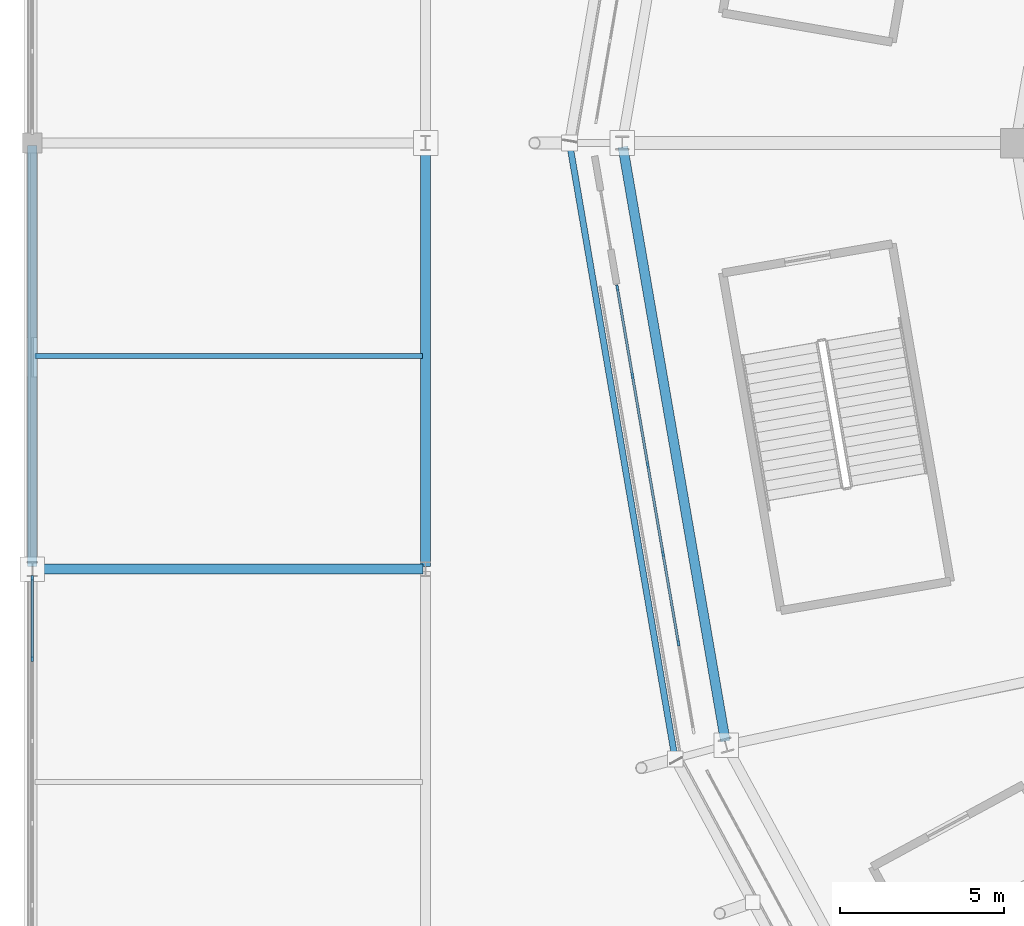
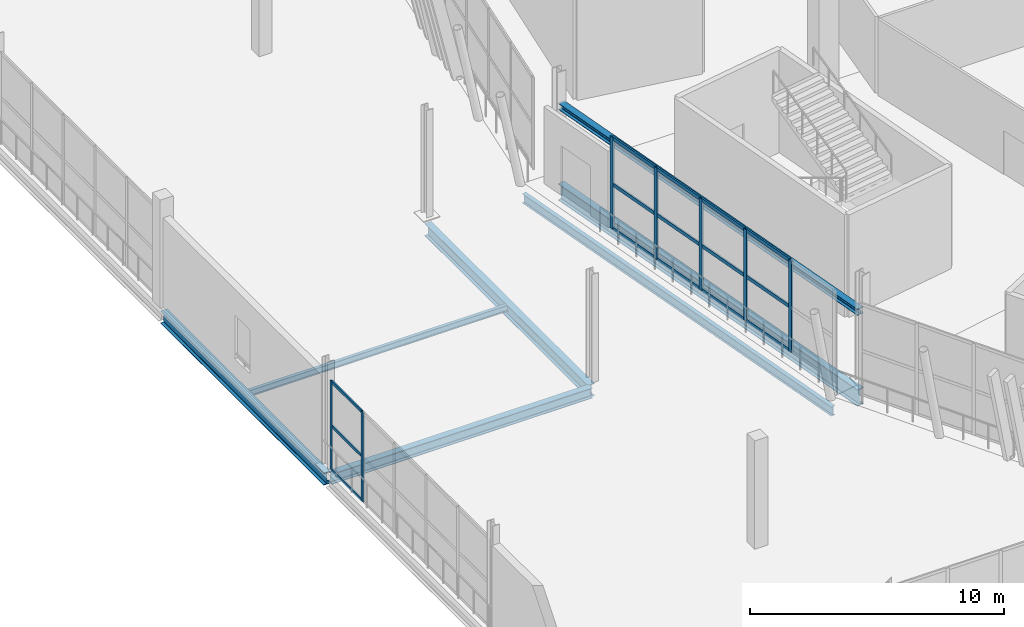
# One storey, part 39 of 178: 22 members, 7 beams, 2 elements without a shape of their own.
"""IFC4 building model written with IfcOpenShell, lengths in metres."""

import ifcopenshell
import ifcopenshell.guid

model = None  # the IFC model being written
_history = None  # IfcOwnerHistory: only IFC2X3 demands one
_inside = {}  # id of a spatial element -> (the spatial element, [elements in it])
_under = {}  # id of a project, library or spatial element -> (it, [spatial elements below it])
_declared = {}  # id of a project -> (the project, [libraries it declares])
_typed = {}  # id of a type object -> (the type object, [elements of that type])
_made_of = {}  # id of a material, layer set ... -> (it, [elements and type objects made of it])


def new_model(schema):
    """Start an empty IFC model of exactly this schema.

    Asked for "IFC4X3", IfcOpenShell would pick the latest addendum, in which some entities
    have other attributes; the version numbers below select the first issue.
    IFC2X3 requires an IfcOwnerHistory on every rooted entity: one is made here for all.
    """
    global model, _history
    if schema == "IFC4X3":
        model = ifcopenshell.file(schema_version=(4, 3, 0, 0))
    else:
        model = ifcopenshell.file(schema=schema)
    _inside.clear()
    _under.clear()
    _declared.clear()
    _typed.clear()
    _made_of.clear()
    _history = None
    if model.schema == "IFC2X3":
        org = make("IfcOrganization", Name="unknown")
        user = make(
            "IfcPersonAndOrganization",
            ThePerson=make("IfcPerson", FamilyName="unknown"),
            TheOrganization=org,
        )
        app = make(
            "IfcApplication",
            ApplicationDeveloper=org,
            Version="unknown",
            ApplicationFullName="unknown",
            ApplicationIdentifier="unknown",
        )
        _history = make(
            "IfcOwnerHistory",
            OwningUser=user,
            OwningApplication=app,
            ChangeAction="ADDED",
            CreationDate=0,
        )
    return model


def make(cls, **values):
    """One entity of the class cls with the attributes given. An attribute that is None is left unset."""
    return model.create_entity(
        cls, **{name: value for name, value in values.items() if value is not None}
    )


def rooted(cls, **values):
    """An entity with a GlobalId (a new one), such as an element, a storey or a relation."""
    return make(cls, GlobalId=ifcopenshell.guid.new(), OwnerHistory=_history, **values)


def si_unit(unit_type, name, prefix=None):
    """IfcSIUnit, for example si_unit("LENGTHUNIT", "METRE", prefix="MILLI")."""
    return make("IfcSIUnit", UnitType=unit_type, Prefix=prefix, Name=name)


def assignment(units):
    """IfcUnitAssignment: the units of a project."""
    return None if units is None else make("IfcUnitAssignment", Units=units)


def point(xyz):
    """IfcCartesianPoint."""
    return None if xyz is None else make("IfcCartesianPoint", Coordinates=xyz)


def direction(xyz):
    """IfcDirection."""
    return None if xyz is None else make("IfcDirection", DirectionRatios=xyz)


def frame(location, z_axis=None, x_axis=None):
    """IfcAxis2Placement3D, a coordinate frame: its origin and axes. An axis left out is left unset."""
    return make(
        "IfcAxis2Placement3D",
        Location=point(location),
        Axis=direction(z_axis),
        RefDirection=direction(x_axis),
    )


def frame_2d(location, x_axis=None):
    """IfcAxis2Placement2D, a coordinate frame in the plane: its origin and x axis."""
    return make(
        "IfcAxis2Placement2D", Location=point(location), RefDirection=direction(x_axis)
    )


def origin():
    """The frame at (0, 0, 0) with its axes left unset."""
    return frame((0.0, 0.0, 0.0))


def origin_2d():
    """The frame at (0, 0) in the plane with its x axis left unset."""
    return frame_2d((0.0, 0.0))


def place(relative_to, where):
    """IfcLocalPlacement: puts the frame where relative to a parent placement (None: the world)."""
    return make(
        "IfcLocalPlacement", PlacementRelTo=relative_to, RelativePlacement=where
    )


def context(
    kind, dimensions, precision=None, world=None, true_north=None, identifier=None
):
    """IfcGeometricRepresentationContext, for example the 3D "Model" context."""
    return make(
        "IfcGeometricRepresentationContext",
        ContextIdentifier=identifier,
        ContextType=kind,
        CoordinateSpaceDimension=dimensions,
        Precision=precision,
        WorldCoordinateSystem=world,
        TrueNorth=true_north,
    )


def subcontext(parent, identifier, kind, view, scale=None):
    """IfcGeometricRepresentationSubContext, for example "Body" below "Model"."""
    return make(
        "IfcGeometricRepresentationSubContext",
        ContextIdentifier=identifier,
        ContextType=kind,
        ParentContext=parent,
        TargetScale=scale,
        TargetView=view,
    )


def project(units=None, contexts=None):
    """IfcProject with its units and contexts."""
    return rooted(
        "IfcProject",
        Name="project",
        RepresentationContexts=contexts,
        UnitsInContext=assignment(units),
    )


def spatial(cls, under=None, at=None, **own):
    """A site, building, storey or space (cls), placed at a placement, below another one or the project."""
    s = rooted(cls, ObjectPlacement=at, **own)
    if under is not None:
        _under.setdefault(under.id(), (under, []))[1].append(s)
    return s


def profile(cls, at=None, kind="AREA", **sizes):
    """A parametric profile (cls). Its sizes go by their IFC names, for example OverallWidth=200.0."""
    return make(cls, ProfileType=kind, Position=at, **sizes)


def rectangle(**sizes):
    """IfcRectangleProfileDef."""
    return profile("IfcRectangleProfileDef", **sizes)


def i_section(**sizes):
    """IfcIShapeProfileDef."""
    return profile("IfcIShapeProfileDef", **sizes)


def extrude(swept, where, along, depth):
    """IfcExtrudedAreaSolid: the profile swept, set in the frame where, extruded along a direction by depth."""
    return make(
        "IfcExtrudedAreaSolid",
        SweptArea=swept,
        Position=where,
        ExtrudedDirection=direction(along),
        Depth=depth,
    )


def shape(context_of_items, identifier, shape_type, items):
    """IfcShapeRepresentation: the items that make up one representation, for example the "Body"."""
    return make(
        "IfcShapeRepresentation",
        ContextOfItems=context_of_items,
        RepresentationIdentifier=identifier,
        RepresentationType=shape_type,
        Items=items,
    )


def material(Name=None, Category=None):
    """IfcMaterial."""
    return make("IfcMaterial", Name=Name, Category=Category)


def material_profile(
    of_material, cross_section, Name=None, Category=None, Priority=None
):
    """IfcMaterialProfile: a cross section and its material."""
    return make(
        "IfcMaterialProfile",
        Name=Name,
        Material=of_material,
        Profile=cross_section,
        Priority=Priority,
        Category=Category,
    )


def profile_set(profiles, Name=None, composite=None):
    """IfcMaterialProfileSet."""
    return make(
        "IfcMaterialProfileSet",
        Name=Name,
        MaterialProfiles=profiles,
        CompositeProfile=composite,
    )


def made_of(thing, what):
    """Note that an element or type object is made of a material, layer set ...; save() writes the relation."""
    if what is not None:
        _made_of.setdefault(what.id(), (what, []))[1].append(thing)
    return thing


def type_object(cls, material=None, **own):
    """A type object (cls), such as IfcWallType, which elements share."""
    return made_of(rooted(cls, **own), material)


def element(
    cls,
    number,
    at=None,
    inside=None,
    cuts=None,
    type_object=None,
    material=None,
    context=None,
    identifier="Body",
    shape_type=None,
    held_by="IfcProductDefinitionShape",
    body=None,
    shapes=None,
    **own,
):
    """One element of the class cls, such as IfcWall. Its Tag is "e" and its number.

    at: its placement. inside: the storey or other place that contains it. cuts: it is an
    opening in that element (IfcRelVoidsElement). A single representation is given by context,
    identifier, shape_type and body (its items); several are given by shapes. held_by: the class
    of the entity that holds the representations. save() writes the other relations.
    """
    e = rooted(cls, Tag="e%d" % number, ObjectPlacement=at, **own)
    if body is not None:
        shapes = [shape(context, identifier, shape_type, body)]
    if shapes is not None:
        e.Representation = make(held_by, Representations=shapes)
    if inside is not None:
        _inside.setdefault(inside.id(), (inside, []))[1].append(e)
    if cuts is not None:
        rooted(
            "IfcRelVoidsElement", RelatingBuildingElement=cuts, RelatedOpeningElement=e
        )
    if type_object is not None:
        _typed.setdefault(type_object.id(), (type_object, []))[1].append(e)
    return made_of(e, material)


def aggregate(whole, parts):
    """IfcRelAggregates: a whole, such as a stair, and the parts it consists of."""
    return rooted("IfcRelAggregates", RelatingObject=whole, RelatedObjects=parts)


def save(model, path):
    """Write the relations noted so far, then the file.

    IfcRelAggregates (storeys below a building ...), IfcRelContainedInSpatialStructure (elements
    in a storey), IfcRelDefinesByType, IfcRelAssociatesMaterial and IfcRelDeclares: one each for
    every whole, place, type object, material and project.
    """
    for whole, parts in _under.values():
        aggregate(whole, parts)
    for where, things in _inside.values():
        rooted(
            "IfcRelContainedInSpatialStructure",
            RelatedElements=things,
            RelatingStructure=where,
        )
    for kind, things in _typed.values():
        rooted("IfcRelDefinesByType", RelatedObjects=things, RelatingType=kind)
    for what, things in _made_of.values():
        rooted("IfcRelAssociatesMaterial", RelatedObjects=things, RelatingMaterial=what)
    for by, libraries in _declared.values():
        rooted("IfcRelDeclares", RelatingContext=by, RelatedDefinitions=libraries)
    model.write(path)


model = new_model("IFC4")

# Units and contexts
model_context = context("Model", 3, precision=1e-05, world=origin(), true_north=direction((0.0, 1.0)))
body_context = subcontext(model_context, "Body", "Model", "MODEL_VIEW")
ifc_project = project(units=[si_unit("LENGTHUNIT", "METRE"), si_unit("AREAUNIT", "SQUARE_METRE"), si_unit("VOLUMEUNIT", "CUBIC_METRE"), si_unit("PLANEANGLEUNIT", "RADIAN"), si_unit("MASSUNIT", "GRAM", prefix="KILO")], contexts=[model_context])

# Site, building, storey
site_placement = place(None, origin())
site = spatial("IfcSite", under=ifc_project, at=site_placement, CompositionType="ELEMENT")
building_placement = place(site_placement, origin())
building = spatial("IfcBuilding", under=site, at=building_placement, Name="Zlatoyarsky Gate Stadium", CompositionType="ELEMENT")
storey_placement = place(building_placement, frame((0.0, 0.0, 5.39990234375)))
storey = spatial("IfcBuildingStorey", under=building, at=storey_placement, Name="L01", CompositionType="ELEMENT", Elevation=5.39990234375)

# Curtain wall, members
ifc_material_1 = material(Name="Thermally broken anodised aluminium curtain wall", Category="aluminium")
curtain_wall_type_1 = type_object("IfcCurtainWallType", Name="MONUMENTAL ARCHED GATE GLAZING LOWER", PredefinedType="USERDEFINED", material=ifc_material_1)
curtain_wall_1_placement = place(storey_placement, origin())
curtain_wall_1 = element("IfcCurtainWall", 1, at=curtain_wall_1_placement, inside=storey, type_object=curtain_wall_type_1, Name="Curtain wall CW-L01-12", ObjectType="ARCHED GATE GLAZING", PredefinedType="USERDEFINED")
ifc_material_2 = material(Name="Anodised aluminium 6063-T6", Category="aluminium")
ifc_material_profile_1 = material_profile(ifc_material_2, rectangle(XDim=0.074951171875, YDim=0.18994140625, at=origin_2d()), Name="ALU 75X190")
ifc_profile_set_1 = profile_set([ifc_material_profile_1], Name="Anodised aluminium 6063-T6")
member_type_1 = type_object("IfcMemberType", Name="ALUMINIUM GATE MULLION 75X190", PredefinedType="MULLION", material=ifc_profile_set_1)
member_1_placement = place(storey_placement, frame((17.851806640625, 75.577392578125, 0.0), z_axis=(0.0, 0.0, 1.0), x_axis=(0.985538462082, 0.169451880356, 0.0)))
member_1 = element("IfcMember", 2, at=member_1_placement, type_object=member_type_1, Name="CW-AG1 mullion 1", PredefinedType="MULLION", context=body_context, shape_type="SweptSolid", body=[
    extrude(rectangle(XDim=0.074951171875, YDim=0.18994140625, at=origin_2d()), origin(), (0.0, 0.0, 1.0), 4.400146484375),
])
member_2_placement = place(storey_placement, frame((18.312744140625, 72.8974609375, 0.0), z_axis=(0.0, 0.0, 1.0), x_axis=(0.985538462082, 0.169451880356, 0.0)))
member_2 = element("IfcMember", 3, at=member_2_placement, type_object=member_type_1, Name="CW-AG1 mullion 2", PredefinedType="MULLION", context=body_context, shape_type="SweptSolid", body=[
    extrude(rectangle(XDim=0.074951171875, YDim=0.18994140625, at=origin_2d()), origin(), (0.0, 0.0, 1.0), 4.400146484375),
])
member_3_placement = place(storey_placement, frame((18.77978515625, 70.180419921875, 0.0), z_axis=(0.0, 0.0, 1.0), x_axis=(0.985538462082, 0.169451880356, 0.0)))
member_3 = element("IfcMember", 4, at=member_3_placement, type_object=member_type_1, Name="CW-AG1 mullion 3", PredefinedType="MULLION", context=body_context, shape_type="SweptSolid", body=[
    extrude(rectangle(XDim=0.074951171875, YDim=0.18994140625, at=origin_2d()), origin(), (0.0, 0.0, 1.0), 4.400146484375),
])
member_4_placement = place(storey_placement, frame((19.2470703125, 67.46337890625, 0.0), z_axis=(0.0, 0.0, 1.0), x_axis=(0.985538462082, 0.169451880356, 0.0)))
member_4 = element("IfcMember", 5, at=member_4_placement, type_object=member_type_1, Name="CW-AG1 mullion 4", PredefinedType="MULLION", context=body_context, shape_type="SweptSolid", body=[
    extrude(rectangle(XDim=0.074951171875, YDim=0.18994140625, at=origin_2d()), origin(), (0.0, 0.0, 1.0), 4.400146484375),
])
member_5_placement = place(storey_placement, frame((19.714111328125, 64.746337890625, 0.0), z_axis=(0.0, 0.0, 1.0), x_axis=(0.985538462082, 0.169451880356, 0.0)))
member_5 = element("IfcMember", 6, at=member_5_placement, type_object=member_type_1, Name="CW-AG1 mullion 5", PredefinedType="MULLION", context=body_context, shape_type="SweptSolid", body=[
    extrude(rectangle(XDim=0.074951171875, YDim=0.18994140625, at=origin_2d()), origin(), (0.0, 0.0, 1.0), 4.400146484375),
])
ifc_material_profile_2 = material_profile(ifc_material_2, rectangle(XDim=0.074951171875, YDim=0.169921875, at=origin_2d()), Name="ALU 75X170")
ifc_profile_set_2 = profile_set([ifc_material_profile_2], Name="Anodised aluminium 6063-T6")
member_type_2 = type_object("IfcMemberType", Name="ALUMINIUM GATE TRANSOM 75X170", PredefinedType="USERDEFINED", material=ifc_profile_set_2)
member_6_placement = place(storey_placement, frame((17.858154296875, 75.54052734375, 0.03759765625), z_axis=(0.169501903761, -0.985529859832, 0.0), x_axis=(0.985529859832, 0.169501903761, 0.0)))
member_6 = element("IfcMember", 7, at=member_6_placement, type_object=member_type_2, Name="CW-AG1 transom 1.1", ObjectType="TRANSOM", PredefinedType="USERDEFINED", context=body_context, shape_type="SweptSolid", body=[
    extrude(rectangle(XDim=0.074951171875, YDim=0.169921875, at=origin_2d()), origin(), (0.0, 0.0, 1.0), 2.64453125),
])
member_7_placement = place(storey_placement, frame((17.858154296875, 75.54052734375, 2.150146484375), z_axis=(0.169501903761, -0.985529859832, 0.0), x_axis=(0.985529859832, 0.169501903761, 0.0)))
member_7 = element("IfcMember", 8, at=member_7_placement, type_object=member_type_2, Name="CW-AG1 transom 1.2", ObjectType="TRANSOM", PredefinedType="USERDEFINED", context=body_context, shape_type="SweptSolid", body=[
    extrude(rectangle(XDim=0.074951171875, YDim=0.169921875, at=origin_2d()), origin(), (0.0, 0.0, 1.0), 2.64453125),
])
member_8_placement = place(storey_placement, frame((17.858154296875, 75.54052734375, 4.362548828125), z_axis=(0.169501903761, -0.985529859832, 0.0), x_axis=(0.985529859832, 0.169501903761, 0.0)))
member_8 = element("IfcMember", 9, at=member_8_placement, type_object=member_type_2, Name="CW-AG1 transom 1.3", ObjectType="TRANSOM", PredefinedType="USERDEFINED", context=body_context, shape_type="SweptSolid", body=[
    extrude(rectangle(XDim=0.074951171875, YDim=0.169921875, at=origin_2d()), origin(), (0.0, 0.0, 1.0), 2.64453125),
])
member_9_placement = place(storey_placement, frame((18.319091796875, 72.8603515625, 0.03759765625), z_axis=(0.169416084478, -0.985544616098, 0.0), x_axis=(0.985544616098, 0.169416084478, 0.0)))
member_9 = element("IfcMember", 10, at=member_9_placement, type_object=member_type_2, Name="CW-AG1 transom 2.1", ObjectType="TRANSOM", PredefinedType="USERDEFINED", context=body_context, shape_type="SweptSolid", body=[
    extrude(rectangle(XDim=0.074951171875, YDim=0.169921875, at=origin_2d()), origin(), (0.0, 0.0, 1.0), 2.681884765625),
])
member_10_placement = place(storey_placement, frame((18.319091796875, 72.8603515625, 2.150146484375), z_axis=(0.169416084478, -0.985544616098, 0.0), x_axis=(0.985544616098, 0.169416084478, 0.0)))
member_10 = element("IfcMember", 11, at=member_10_placement, type_object=member_type_2, Name="CW-AG1 transom 2.2", ObjectType="TRANSOM", PredefinedType="USERDEFINED", context=body_context, shape_type="SweptSolid", body=[
    extrude(rectangle(XDim=0.074951171875, YDim=0.169921875, at=origin_2d()), origin(), (0.0, 0.0, 1.0), 2.681884765625),
])
member_11_placement = place(storey_placement, frame((18.319091796875, 72.8603515625, 4.362548828125), z_axis=(0.169416084478, -0.985544616098, 0.0), x_axis=(0.985544616098, 0.169416084478, 0.0)))
member_11 = element("IfcMember", 12, at=member_11_placement, type_object=member_type_2, Name="CW-AG1 transom 2.3", ObjectType="TRANSOM", PredefinedType="USERDEFINED", context=body_context, shape_type="SweptSolid", body=[
    extrude(rectangle(XDim=0.074951171875, YDim=0.169921875, at=origin_2d()), origin(), (0.0, 0.0, 1.0), 2.681884765625),
])
member_12_placement = place(storey_placement, frame((18.7861328125, 70.143310546875, 0.03759765625), z_axis=(0.169504504536, -0.98552941252, 0.0), x_axis=(0.98552941252, 0.169504504536, 0.0)))
member_12 = element("IfcMember", 13, at=member_12_placement, type_object=member_type_2, Name="CW-AG1 transom 3.1", ObjectType="TRANSOM", PredefinedType="USERDEFINED", context=body_context, shape_type="SweptSolid", body=[
    extrude(rectangle(XDim=0.074951171875, YDim=0.169921875, at=origin_2d()), origin(), (0.0, 0.0, 1.0), 2.681884765625),
])
member_13_placement = place(storey_placement, frame((18.7861328125, 70.143310546875, 2.150146484375), z_axis=(0.169504504536, -0.98552941252, 0.0), x_axis=(0.98552941252, 0.169504504536, 0.0)))
member_13 = element("IfcMember", 14, at=member_13_placement, type_object=member_type_2, Name="CW-AG1 transom 3.2", ObjectType="TRANSOM", PredefinedType="USERDEFINED", context=body_context, shape_type="SweptSolid", body=[
    extrude(rectangle(XDim=0.074951171875, YDim=0.169921875, at=origin_2d()), origin(), (0.0, 0.0, 1.0), 2.681884765625),
])
member_14_placement = place(storey_placement, frame((18.7861328125, 70.143310546875, 4.362548828125), z_axis=(0.169504504536, -0.98552941252, 0.0), x_axis=(0.98552941252, 0.169504504536, 0.0)))
member_14 = element("IfcMember", 15, at=member_14_placement, type_object=member_type_2, Name="CW-AG1 transom 3.3", ObjectType="TRANSOM", PredefinedType="USERDEFINED", context=body_context, shape_type="SweptSolid", body=[
    extrude(rectangle(XDim=0.074951171875, YDim=0.169921875, at=origin_2d()), origin(), (0.0, 0.0, 1.0), 2.681884765625),
])
member_15_placement = place(storey_placement, frame((19.25341796875, 67.42626953125, 0.03759765625), z_axis=(0.169416084478, -0.985544616098, 0.0), x_axis=(0.985544616098, 0.169416084478, 0.0)))
member_15 = element("IfcMember", 16, at=member_15_placement, type_object=member_type_2, Name="CW-AG1 transom 4.1", ObjectType="TRANSOM", PredefinedType="USERDEFINED", context=body_context, shape_type="SweptSolid", body=[
    extrude(rectangle(XDim=0.074951171875, YDim=0.169921875, at=origin_2d()), origin(), (0.0, 0.0, 1.0), 2.681884765625),
])
member_16_placement = place(storey_placement, frame((19.25341796875, 67.42626953125, 2.150146484375), z_axis=(0.169416084478, -0.985544616098, 0.0), x_axis=(0.985544616098, 0.169416084478, 0.0)))
member_16 = element("IfcMember", 17, at=member_16_placement, type_object=member_type_2, Name="CW-AG1 transom 4.2", ObjectType="TRANSOM", PredefinedType="USERDEFINED", context=body_context, shape_type="SweptSolid", body=[
    extrude(rectangle(XDim=0.074951171875, YDim=0.169921875, at=origin_2d()), origin(), (0.0, 0.0, 1.0), 2.681884765625),
])
member_17_placement = place(storey_placement, frame((19.25341796875, 67.42626953125, 4.362548828125), z_axis=(0.169416084478, -0.985544616098, 0.0), x_axis=(0.985544616098, 0.169416084478, 0.0)))
member_17 = element("IfcMember", 18, at=member_17_placement, type_object=member_type_2, Name="CW-AG1 transom 4.3", ObjectType="TRANSOM", PredefinedType="USERDEFINED", context=body_context, shape_type="SweptSolid", body=[
    extrude(rectangle(XDim=0.074951171875, YDim=0.169921875, at=origin_2d()), origin(), (0.0, 0.0, 1.0), 2.681884765625),
])
aggregate(curtain_wall_1, [member_1, member_2, member_3, member_4, member_5, member_6, member_7, member_8, member_9, member_10, member_11, member_12, member_13, member_14, member_15, member_16, member_17])

curtain_wall_type_2 = type_object("IfcCurtainWallType", Name="WINTER GARDEN CONSERVATORY GLAZING", PredefinedType="USERDEFINED", material=ifc_material_1)
curtain_wall_2_placement = place(storey_placement, origin())
curtain_wall_2 = element("IfcCurtainWall", 19, at=curtain_wall_2_placement, inside=storey, type_object=curtain_wall_type_2, Name="Curtain wall CW-V4_WEST-L01-165", ObjectType="UNITISED GLAZING", PredefinedType="USERDEFINED")
ifc_material_profile_3 = material_profile(ifc_material_2, rectangle(XDim=0.06494140625, YDim=0.159912109375, at=origin_2d()), Name="ALU 65X160")
ifc_profile_set_3 = profile_set([ifc_material_profile_3], Name="Anodised aluminium 6063-T6")
member_type_3 = type_object("IfcMemberType", Name="ALUMINIUM MULLION 65X160", PredefinedType="MULLION", material=ifc_profile_set_3)
member_18_placement = place(storey_placement, frame((0.0, 64.2578125, 0.0), z_axis=(0.0, 0.0, 1.0), x_axis=(-1.0, 0.0, 0.0)))
member_18 = element("IfcMember", 20, at=member_18_placement, type_object=member_type_3, Name="CW-WG1 mullion 5", PredefinedType="MULLION", context=body_context, shape_type="SweptSolid", body=[
    extrude(rectangle(XDim=0.06494140625, YDim=0.159912109375, at=origin_2d()), origin(), (0.0, 0.0, 1.0), 4.300048828125),
])
member_19_placement = place(storey_placement, frame((0.0, 66.73046875, 0.0), z_axis=(0.0, 0.0, 1.0), x_axis=(-1.0, 0.0, 0.0)))
member_19 = element("IfcMember", 21, at=member_19_placement, type_object=member_type_3, Name="CW-WG1 mullion 6", PredefinedType="MULLION", context=body_context, shape_type="SweptSolid", body=[
    extrude(rectangle(XDim=0.06494140625, YDim=0.159912109375, at=origin_2d()), origin(), (0.0, 0.0, 1.0), 4.300048828125),
])
ifc_material_profile_4 = material_profile(ifc_material_2, rectangle(XDim=0.06494140625, YDim=0.139892578125, at=origin_2d()), Name="ALU 65X140")
ifc_profile_set_4 = profile_set([ifc_material_profile_4], Name="Anodised aluminium 6063-T6")
member_type_4 = type_object("IfcMemberType", Name="ALUMINIUM TRANSOM 65X140", PredefinedType="USERDEFINED", material=ifc_profile_set_4)
member_20_placement = place(storey_placement, frame((0.0, 64.290283203125, 0.03271484375), z_axis=(0.0, 1.0, 0.0), x_axis=(-1.0, 0.0, 0.0)))
member_20 = element("IfcMember", 22, at=member_20_placement, type_object=member_type_4, Name="CW-WG1 transom 5.1", ObjectType="TRANSOM", PredefinedType="USERDEFINED", context=body_context, shape_type="SweptSolid", body=[
    extrude(rectangle(XDim=0.06494140625, YDim=0.139892578125, at=origin_2d()), origin(), (0.0, 0.0, 1.0), 2.40771484375),
])
member_21_placement = place(storey_placement, frame((0.0, 64.290283203125, 2.150146484375), z_axis=(0.0, 1.0, 0.0), x_axis=(-1.0, 0.0, 0.0)))
member_21 = element("IfcMember", 23, at=member_21_placement, type_object=member_type_4, Name="CW-WG1 transom 5.2", ObjectType="TRANSOM", PredefinedType="USERDEFINED", context=body_context, shape_type="SweptSolid", body=[
    extrude(rectangle(XDim=0.06494140625, YDim=0.139892578125, at=origin_2d()), origin(), (0.0, 0.0, 1.0), 2.40771484375),
])
member_22_placement = place(storey_placement, frame((0.0, 64.290283203125, 4.267578125), z_axis=(0.0, 1.0, 0.0), x_axis=(-1.0, 0.0, 0.0)))
member_22 = element("IfcMember", 24, at=member_22_placement, type_object=member_type_4, Name="CW-WG1 transom 5.3", ObjectType="TRANSOM", PredefinedType="USERDEFINED", context=body_context, shape_type="SweptSolid", body=[
    extrude(rectangle(XDim=0.06494140625, YDim=0.139892578125, at=origin_2d()), origin(), (0.0, 0.0, 1.0), 2.40771484375),
])
aggregate(curtain_wall_2, [member_18, member_19, member_20, member_21, member_22])

# Beams
ifc_material_3 = material(Name="Steel S355", Category="steel")
ifc_material_profile_5 = material_profile(ifc_material_3, i_section(OverallWidth=0.18994140625, OverallDepth=0.449951171875, WebThickness=0.009521484375, FlangeThickness=0.0146484375, FilletRadius=0.02099609375, at=origin_2d()), Name="IPE 450")
ifc_profile_set_5 = profile_set([ifc_material_profile_5], Name="Steel S355")
beam_type_1 = type_object("IfcBeamType", Name="STEEL EDGE SPANDREL IPE 450", PredefinedType="SPANDREL", material=ifc_profile_set_5)
beam_1_placement = place(storey_placement, frame((16.39501953125, 79.980224609375, -0.684814453125), z_axis=(0.169066383905, -0.985604666098, 0.0), x_axis=(0.985604666098, 0.169066383905, 0.0)))
element("IfcBeam", 25, at=beam_1_placement, inside=storey, type_object=beam_type_1, Name="Beam SP-IPE450 BM-L01-SPD-12", PredefinedType="SPANDREL", context=body_context, shape_type="SweptSolid", body=[
    extrude(i_section(OverallWidth=0.18994140625, OverallDepth=0.449951171875, WebThickness=0.009521484375, FlangeThickness=0.0146484375, FilletRadius=0.02099609375, at=origin_2d()), origin(), (0.0, 0.0, 1.0), 19.02685546875),
])
ifc_material_profile_6 = material_profile(ifc_material_3, i_section(OverallWidth=0.300048828125, OverallDepth=0.300048828125, WebThickness=0.010986328125, FlangeThickness=0.01904296875, FilletRadius=0.027099609375, at=origin_2d()), Name="HEB 300")
ifc_profile_set_6 = profile_set([ifc_material_profile_6], Name="Steel S355")
beam_type_2 = type_object("IfcBeamType", Name="STEEL GATE LINTEL HEB 300", PredefinedType="LINTEL", material=ifc_profile_set_6)
beam_2_placement = place(storey_placement, frame((18.0205078125, 79.881591796875, 3.25), z_axis=(0.169930456666, -0.985456056807, 0.0), x_axis=(0.985456056807, 0.169930456666, 0.0)))
element("IfcBeam", 26, at=beam_2_placement, inside=storey, type_object=beam_type_2, Name="Beam LN-HEB300 BM-L01-LNT-12", PredefinedType="LINTEL", context=body_context, shape_type="SweptSolid", body=[
    extrude(i_section(OverallWidth=0.300048828125, OverallDepth=0.300048828125, WebThickness=0.010986328125, FlangeThickness=0.01904296875, FilletRadius=0.027099609375, at=origin_2d()), origin(), (0.0, 0.0, 1.0), 18.4072265625),
])
ifc_material_profile_7 = material_profile(ifc_material_3, i_section(OverallWidth=0.300048828125, OverallDepth=0.5, WebThickness=0.014404296875, FlangeThickness=0.028076171875, FilletRadius=0.027099609375, at=origin_2d()), Name="HEB 500")
ifc_profile_set_7 = profile_set([ifc_material_profile_7], Name="Steel S355")
beam_type_3 = type_object("IfcBeamType", Name="STEEL PRIMARY GIRDER HEB 500", PredefinedType="BEAM", material=ifc_profile_set_7)
beam_3_placement = place(storey_placement, frame((0.080078125, 67.0, -0.5498046875), z_axis=(1.0, 0.0, 0.0), x_axis=(0.0, 1.0, 0.0)))
element("IfcBeam", 27, at=beam_3_placement, inside=storey, type_object=beam_type_3, Name="Beam G-HEB500 BM-L01-WGX-1-G", PredefinedType="BEAM", context=body_context, shape_type="SweptSolid", body=[
    extrude(i_section(OverallWidth=0.300048828125, OverallDepth=0.5, WebThickness=0.014404296875, FlangeThickness=0.028076171875, FilletRadius=0.027099609375, at=origin_2d()), origin(), (0.0, 0.0, 1.0), 11.83984375),
])
ifc_material_profile_8 = material_profile(ifc_material_3, i_section(OverallWidth=0.300048828125, OverallDepth=0.60009765625, WebThickness=0.015380859375, FlangeThickness=0.030029296875, FilletRadius=0.027099609375, at=origin_2d()), Name="HEB 600")
ifc_profile_set_8 = profile_set([ifc_material_profile_8], Name="Steel S355")
beam_type_4 = type_object("IfcBeamType", Name="STEEL PRIMARY GIRDER HEB 600", PredefinedType="BEAM", material=ifc_profile_set_8)
for number, where, z_axis, x_axis, name in (
    (28, (0.0, 67.080078125, -0.599853515625), (0.0, 1.0, 0.0), (-1.0, 0.0, 0.0), "Beam G-HEB600 BM-L01-WGY-1-G"),
    (29, (12.0, 67.080078125, -0.599853515625), (0.0, 1.0, 0.0), (-1.0, 0.0, 0.0), "Beam G-HEB600 BM-L01-WGY-2-G"),
):
    element("IfcBeam", number, at=place(storey_placement, frame(where, z_axis=z_axis, x_axis=x_axis)), inside=storey, type_object=beam_type_4, Name=name, PredefinedType="BEAM", context=body_context, shape_type="SweptSolid", body=[
        extrude(i_section(OverallWidth=0.300048828125, OverallDepth=0.60009765625, WebThickness=0.015380859375, FlangeThickness=0.030029296875, FilletRadius=0.027099609375, at=origin_2d()), origin(), (0.0, 0.0, 1.0), 12.83984375),
    ])
ifc_material_profile_9 = material_profile(ifc_material_3, i_section(OverallWidth=0.300048828125, OverallDepth=0.800048828125, WebThickness=0.017578125, FlangeThickness=0.032958984375, FilletRadius=0.030029296875, at=origin_2d()), Name="HEB 800")
ifc_profile_set_9 = profile_set([ifc_material_profile_9], Name="Steel S355")
beam_type_5 = type_object("IfcBeamType", Name="STEEL PRIMARY GIRDER HEB 800", PredefinedType="BEAM", material=ifc_profile_set_9)
beam_4_placement = place(storey_placement, frame((18.0205078125, 79.881591796875, -0.85986328125), z_axis=(0.169930456666, -0.985456056807, 0.0), x_axis=(0.985456056807, 0.169930456666, 0.0)))
element("IfcBeam", 30, at=beam_4_placement, inside=storey, type_object=beam_type_5, Name="Beam G-HEB800 BM-L01-CRC-12", PredefinedType="BEAM", context=body_context, shape_type="SweptSolid", body=[
    extrude(i_section(OverallWidth=0.300048828125, OverallDepth=0.800048828125, WebThickness=0.017578125, FlangeThickness=0.032958984375, FilletRadius=0.030029296875, at=origin_2d()), origin(), (0.0, 0.0, 1.0), 18.4072265625),
])
ifc_material_profile_10 = material_profile(ifc_material_3, i_section(OverallWidth=0.14990234375, OverallDepth=0.300048828125, WebThickness=0.007080078125, FlangeThickness=0.0107421875, FilletRadius=0.014892578125, at=origin_2d()), Name="IPE 300")
ifc_profile_set_10 = profile_set([ifc_material_profile_10], Name="Steel S355")
beam_type_6 = type_object("IfcBeamType", Name="STEEL SECONDARY JOIST IPE 300", PredefinedType="JOIST", material=ifc_profile_set_10)
beam_5_placement = place(storey_placement, frame((0.090087890625, 73.5, -0.449951171875), z_axis=(1.0, 0.0, 0.0), x_axis=(0.0, 1.0, 0.0)))
element("IfcBeam", 31, at=beam_5_placement, inside=storey, type_object=beam_type_6, Name="Beam J-IPE300 JST-L01-1-G", PredefinedType="JOIST", context=body_context, shape_type="SweptSolid", body=[
    extrude(i_section(OverallWidth=0.14990234375, OverallDepth=0.300048828125, WebThickness=0.007080078125, FlangeThickness=0.0107421875, FilletRadius=0.014892578125, at=origin_2d()), origin(), (0.0, 0.0, 1.0), 11.81982421875),
])

save(model, "model.ifc")
